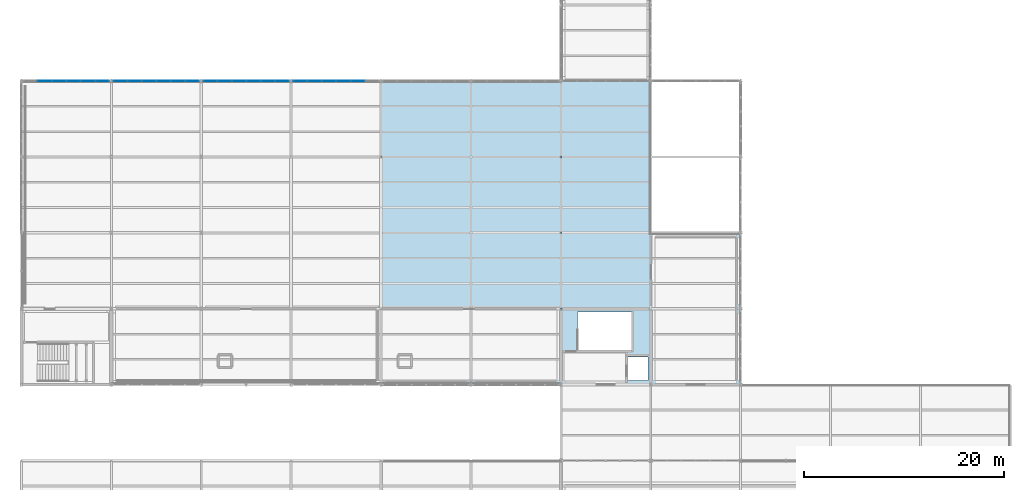
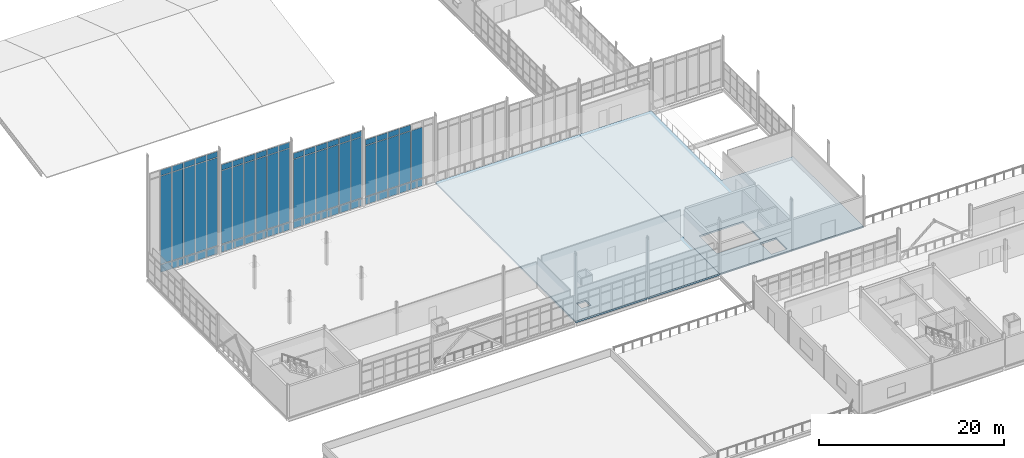
# One storey, part 125 of 166: 65 plates, 2 slabs, 4 elements without a shape of their own.
"""IFC4 building model written with IfcOpenShell, lengths in metres."""

from ifc_helpers import new_model, si_unit, direction, frame, origin, origin_2d, place, context, subcontext, project, spatial, polyline, rectangle, outline, extrude, material, layer, layer_set, type_object, element, aggregate, save


model = new_model("IFC4")

# Units and contexts
model_context = context("Model", 3, precision=1e-05, world=origin(), true_north=direction((0.0, 1.0)))
body_context = subcontext(model_context, "Body", "Model", "MODEL_VIEW")
ifc_project = project(units=[si_unit("LENGTHUNIT", "METRE"), si_unit("AREAUNIT", "SQUARE_METRE"), si_unit("VOLUMEUNIT", "CUBIC_METRE"), si_unit("PLANEANGLEUNIT", "RADIAN"), si_unit("MASSUNIT", "GRAM", prefix="KILO")], contexts=[model_context])

# Site, building, storey
site_placement = place(None, origin())
site = spatial("IfcSite", under=ifc_project, at=site_placement, CompositionType="ELEMENT")
building_placement = place(site_placement, origin())
building = spatial("IfcBuilding", under=site, at=building_placement, Name="Caisbarro Railhouse Central Library", CompositionType="ELEMENT")
storey_placement = place(building_placement, frame((0.0, 0.0, 9.360107421875)))
storey = spatial("IfcBuildingStorey", under=building, at=storey_placement, Name="L02", CompositionType="ELEMENT", Elevation=9.360107421875)

# Curtain wall, plates
ifc_material_1 = material(Name="Anodised architectural aluminium", Category="aluminium")
curtain_wall_type = type_object("IfcCurtainWallType", Name="CW-CW05", PredefinedType="NOTDEFINED", material=ifc_material_1)
curtain_wall_1_placement = place(storey_placement, origin())
curtain_wall_1 = element("IfcCurtainWall", 1, at=curtain_wall_1_placement, inside=storey, type_object=curtain_wall_type, Name="CW05 curtain wall L02 #3", PredefinedType="NOTDEFINED")
ifc_material_2 = material(Name="Double low-e laminated solar-control glass", Category="glass")
ifc_layer_1 = layer(ifc_material_2, 0.01806640625, Name="Double low-e laminated solar-control glass")
ifc_layer_set_1 = layer_set([ifc_layer_1], Name="Double low-e laminated solar-control glass")
plate_type_1 = type_object("IfcPlateType", Name="CWP-CP18", PredefinedType="CURTAIN_PANEL", material=ifc_layer_set_1)
plate_1_placement = place(storey_placement, frame((2.330078125, 60.800048828125, 0.07470703125), z_axis=(0.0, 0.0, 1.0), x_axis=(1.0, 0.0, 0.0)))
plate_1 = element("IfcPlate", 2, at=plate_1_placement, type_object=plate_type_1, Name="CW05 panel 2.1", PredefinedType="CURTAIN_PANEL", context=body_context, shape_type="SweptSolid", body=[
    extrude(rectangle(XDim=1.37158203125, YDim=0.01806640625, at=origin_2d()), origin(), (0.0, 0.0, 1.0), 1.007568359375),
])
plate_2_placement = place(storey_placement, frame((2.330078125, 60.800048828125, 1.157470703125), z_axis=(0.0, 0.0, 1.0), x_axis=(1.0, 0.0, 0.0)))
plate_2 = element("IfcPlate", 3, at=plate_2_placement, type_object=plate_type_1, Name="CW05 panel 2.2", PredefinedType="CURTAIN_PANEL", context=body_context, shape_type="SweptSolid", body=[
    extrude(rectangle(XDim=1.37158203125, YDim=0.01806640625, at=origin_2d()), origin(), (0.0, 0.0, 1.0), 11.625),
])
plate_3_placement = place(storey_placement, frame((2.330078125, 60.800048828125, 12.857421875), z_axis=(0.0, 0.0, 1.0), x_axis=(1.0, 0.0, 0.0)))
plate_3 = element("IfcPlate", 4, at=plate_3_placement, type_object=plate_type_1, Name="CW05 panel 2.3", PredefinedType="CURTAIN_PANEL", context=body_context, shape_type="SweptSolid", body=[
    extrude(rectangle(XDim=1.37158203125, YDim=0.01806640625, at=origin_2d()), origin(), (0.0, 0.0, 1.0), 0.737548828125),
])
plate_4_placement = place(storey_placement, frame((3.776611328125, 60.800048828125, 0.07470703125), z_axis=(0.0, 0.0, 1.0), x_axis=(1.0, 0.0, 0.0)))
plate_4 = element("IfcPlate", 5, at=plate_4_placement, type_object=plate_type_1, Name="CW05 panel 3.1", PredefinedType="CURTAIN_PANEL", context=body_context, shape_type="SweptSolid", body=[
    extrude(rectangle(XDim=1.37158203125, YDim=0.01806640625, at=origin_2d()), origin(), (0.0, 0.0, 1.0), 1.007568359375),
])
plate_5_placement = place(storey_placement, frame((3.776611328125, 60.800048828125, 1.157470703125), z_axis=(0.0, 0.0, 1.0), x_axis=(1.0, 0.0, 0.0)))
plate_5 = element("IfcPlate", 6, at=plate_5_placement, type_object=plate_type_1, Name="CW05 panel 3.2", PredefinedType="CURTAIN_PANEL", context=body_context, shape_type="SweptSolid", body=[
    extrude(rectangle(XDim=1.37158203125, YDim=0.01806640625, at=origin_2d()), origin(), (0.0, 0.0, 1.0), 11.625),
])
plate_6_placement = place(storey_placement, frame((3.776611328125, 60.800048828125, 12.857421875), z_axis=(0.0, 0.0, 1.0), x_axis=(1.0, 0.0, 0.0)))
plate_6 = element("IfcPlate", 7, at=plate_6_placement, type_object=plate_type_1, Name="CW05 panel 3.3", PredefinedType="CURTAIN_PANEL", context=body_context, shape_type="SweptSolid", body=[
    extrude(rectangle(XDim=1.37158203125, YDim=0.01806640625, at=origin_2d()), origin(), (0.0, 0.0, 1.0), 0.737548828125),
])
plate_7_placement = place(storey_placement, frame((5.223388671875, 60.800048828125, 0.07470703125), z_axis=(0.0, 0.0, 1.0), x_axis=(1.0, 0.0, 0.0)))
plate_7 = element("IfcPlate", 8, at=plate_7_placement, type_object=plate_type_1, Name="CW05 panel 4.1", PredefinedType="CURTAIN_PANEL", context=body_context, shape_type="SweptSolid", body=[
    extrude(rectangle(XDim=1.37158203125, YDim=0.01806640625, at=origin_2d()), origin(), (0.0, 0.0, 1.0), 1.007568359375),
])
plate_8_placement = place(storey_placement, frame((5.223388671875, 60.800048828125, 1.157470703125), z_axis=(0.0, 0.0, 1.0), x_axis=(1.0, 0.0, 0.0)))
plate_8 = element("IfcPlate", 9, at=plate_8_placement, type_object=plate_type_1, Name="CW05 panel 4.2", PredefinedType="CURTAIN_PANEL", context=body_context, shape_type="SweptSolid", body=[
    extrude(rectangle(XDim=1.37158203125, YDim=0.01806640625, at=origin_2d()), origin(), (0.0, 0.0, 1.0), 11.625),
])
plate_9_placement = place(storey_placement, frame((5.223388671875, 60.800048828125, 12.857421875), z_axis=(0.0, 0.0, 1.0), x_axis=(1.0, 0.0, 0.0)))
plate_9 = element("IfcPlate", 10, at=plate_9_placement, type_object=plate_type_1, Name="CW05 panel 4.3", PredefinedType="CURTAIN_PANEL", context=body_context, shape_type="SweptSolid", body=[
    extrude(rectangle(XDim=1.37158203125, YDim=0.01806640625, at=origin_2d()), origin(), (0.0, 0.0, 1.0), 0.737548828125),
])
plate_10_placement = place(storey_placement, frame((6.669921875, 60.800048828125, 0.07470703125), z_axis=(0.0, 0.0, 1.0), x_axis=(1.0, 0.0, 0.0)))
plate_10 = element("IfcPlate", 11, at=plate_10_placement, type_object=plate_type_1, Name="CW05 panel 5.1", PredefinedType="CURTAIN_PANEL", context=body_context, shape_type="SweptSolid", body=[
    extrude(rectangle(XDim=1.37158203125, YDim=0.01806640625, at=origin_2d()), origin(), (0.0, 0.0, 1.0), 1.007568359375),
])
plate_11_placement = place(storey_placement, frame((6.669921875, 60.800048828125, 1.157470703125), z_axis=(0.0, 0.0, 1.0), x_axis=(1.0, 0.0, 0.0)))
plate_11 = element("IfcPlate", 12, at=plate_11_placement, type_object=plate_type_1, Name="CW05 panel 5.2", PredefinedType="CURTAIN_PANEL", context=body_context, shape_type="SweptSolid", body=[
    extrude(rectangle(XDim=1.37158203125, YDim=0.01806640625, at=origin_2d()), origin(), (0.0, 0.0, 1.0), 11.625),
])
plate_12_placement = place(storey_placement, frame((6.669921875, 60.800048828125, 12.857421875), z_axis=(0.0, 0.0, 1.0), x_axis=(1.0, 0.0, 0.0)))
plate_12 = element("IfcPlate", 13, at=plate_12_placement, type_object=plate_type_1, Name="CW05 panel 5.3", PredefinedType="CURTAIN_PANEL", context=body_context, shape_type="SweptSolid", body=[
    extrude(rectangle(XDim=1.37158203125, YDim=0.01806640625, at=origin_2d()), origin(), (0.0, 0.0, 1.0), 0.737548828125),
])
plate_13_placement = place(storey_placement, frame((8.097900390625, 60.800048828125, 0.07470703125), z_axis=(0.0, 0.0, 1.0), x_axis=(1.0, 0.0, 0.0)))
plate_13 = element("IfcPlate", 14, at=plate_13_placement, type_object=plate_type_1, Name="CW05 panel 6.1", PredefinedType="CURTAIN_PANEL", context=body_context, shape_type="SweptSolid", body=[
    extrude(rectangle(XDim=1.334228515625, YDim=0.01806640625, at=origin_2d()), origin(), (0.0, 0.0, 1.0), 1.007568359375),
])
plate_14_placement = place(storey_placement, frame((8.097900390625, 60.800048828125, 1.157470703125), z_axis=(0.0, 0.0, 1.0), x_axis=(1.0, 0.0, 0.0)))
plate_14 = element("IfcPlate", 15, at=plate_14_placement, type_object=plate_type_1, Name="CW05 panel 6.2", PredefinedType="CURTAIN_PANEL", context=body_context, shape_type="SweptSolid", body=[
    extrude(rectangle(XDim=1.334228515625, YDim=0.01806640625, at=origin_2d()), origin(), (0.0, 0.0, 1.0), 11.625),
])
plate_15_placement = place(storey_placement, frame((8.097900390625, 60.800048828125, 12.857421875), z_axis=(0.0, 0.0, 1.0), x_axis=(1.0, 0.0, 0.0)))
plate_15 = element("IfcPlate", 16, at=plate_15_placement, type_object=plate_type_1, Name="CW05 panel 6.3", PredefinedType="CURTAIN_PANEL", context=body_context, shape_type="SweptSolid", body=[
    extrude(rectangle(XDim=1.334228515625, YDim=0.01806640625, at=origin_2d()), origin(), (0.0, 0.0, 1.0), 0.737548828125),
])
aggregate(curtain_wall_1, [plate_1, plate_2, plate_3, plate_4, plate_5, plate_6, plate_7, plate_8, plate_9, plate_10, plate_11, plate_12, plate_13, plate_14, plate_15])

curtain_wall_2_placement = place(storey_placement, origin())
curtain_wall_2 = element("IfcCurtainWall", 17, at=curtain_wall_2_placement, inside=storey, type_object=curtain_wall_type, Name="CW05 curtain wall L02 #5", PredefinedType="NOTDEFINED")
ifc_layer_2 = layer(ifc_material_2, 0.028076171875, Name="Double low-e laminated solar-control glass")
ifc_layer_set_2 = layer_set([ifc_layer_2], Name="Double low-e laminated solar-control glass")
plate_type_2 = type_object("IfcPlateType", Name="CWP-CP28", PredefinedType="CURTAIN_PANEL", material=ifc_layer_set_2)
plate_16_placement = place(storey_placement, frame((9.902099609375, 60.800048828125, 0.07470703125), z_axis=(0.0, 0.0, 1.0), x_axis=(1.0, 0.0, 0.0)))
plate_16 = element("IfcPlate", 18, at=plate_16_placement, type_object=plate_type_2, Name="CW05 panel 1.1", PredefinedType="CURTAIN_PANEL", context=body_context, shape_type="SweptSolid", body=[
    extrude(rectangle(XDim=1.334228515625, YDim=0.028076171875, at=origin_2d()), origin(), (0.0, 0.0, 1.0), 1.007568359375),
])
plate_17_placement = place(storey_placement, frame((9.902099609375, 60.800048828125, 1.1572265625), z_axis=(0.0, 0.0, 1.0), x_axis=(1.0, 0.0, 0.0)))
plate_17 = element("IfcPlate", 19, at=plate_17_placement, type_object=plate_type_2, Name="CW05 panel 1.2", PredefinedType="CURTAIN_PANEL", context=body_context, shape_type="SweptSolid", body=[
    extrude(rectangle(XDim=1.334228515625, YDim=0.028076171875, at=origin_2d()), origin(), (0.0, 0.0, 1.0), 9.675048828125),
])
plate_18_placement = place(storey_placement, frame((9.902099609375, 60.800048828125, 10.9072265625), z_axis=(0.0, 0.0, 1.0), x_axis=(1.0, 0.0, 0.0)))
plate_18 = element("IfcPlate", 20, at=plate_18_placement, type_object=plate_type_2, Name="CW05 panel 1.3", PredefinedType="CURTAIN_PANEL", context=body_context, shape_type="SweptSolid", body=[
    extrude(rectangle(XDim=1.334228515625, YDim=0.028076171875, at=origin_2d()), origin(), (0.0, 0.0, 1.0), 0.737548828125),
])
plate_19_placement = place(storey_placement, frame((11.330078125, 60.800048828125, 0.07470703125), z_axis=(0.0, 0.0, 1.0), x_axis=(1.0, 0.0, 0.0)))
plate_19 = element("IfcPlate", 21, at=plate_19_placement, type_object=plate_type_2, Name="CW05 panel 2.1", PredefinedType="CURTAIN_PANEL", context=body_context, shape_type="SweptSolid", body=[
    extrude(rectangle(XDim=1.37158203125, YDim=0.028076171875, at=origin_2d()), origin(), (0.0, 0.0, 1.0), 1.007568359375),
])
plate_20_placement = place(storey_placement, frame((11.330078125, 60.800048828125, 1.1572265625), z_axis=(0.0, 0.0, 1.0), x_axis=(1.0, 0.0, 0.0)))
plate_20 = element("IfcPlate", 22, at=plate_20_placement, type_object=plate_type_2, Name="CW05 panel 2.2", PredefinedType="CURTAIN_PANEL", context=body_context, shape_type="SweptSolid", body=[
    extrude(rectangle(XDim=1.37158203125, YDim=0.028076171875, at=origin_2d()), origin(), (0.0, 0.0, 1.0), 9.675048828125),
])
plate_21_placement = place(storey_placement, frame((11.330078125, 60.800048828125, 10.9072265625), z_axis=(0.0, 0.0, 1.0), x_axis=(1.0, 0.0, 0.0)))
plate_21 = element("IfcPlate", 23, at=plate_21_placement, type_object=plate_type_2, Name="CW05 panel 2.3", PredefinedType="CURTAIN_PANEL", context=body_context, shape_type="SweptSolid", body=[
    extrude(rectangle(XDim=1.37158203125, YDim=0.028076171875, at=origin_2d()), origin(), (0.0, 0.0, 1.0), 0.737548828125),
])
plate_22_placement = place(storey_placement, frame((12.776611328125, 60.800048828125, 0.07470703125), z_axis=(0.0, 0.0, 1.0), x_axis=(1.0, 0.0, 0.0)))
plate_22 = element("IfcPlate", 24, at=plate_22_placement, type_object=plate_type_2, Name="CW05 panel 3.1", PredefinedType="CURTAIN_PANEL", context=body_context, shape_type="SweptSolid", body=[
    extrude(rectangle(XDim=1.37158203125, YDim=0.028076171875, at=origin_2d()), origin(), (0.0, 0.0, 1.0), 1.007568359375),
])
plate_23_placement = place(storey_placement, frame((12.776611328125, 60.800048828125, 1.1572265625), z_axis=(0.0, 0.0, 1.0), x_axis=(1.0, 0.0, 0.0)))
plate_23 = element("IfcPlate", 25, at=plate_23_placement, type_object=plate_type_2, Name="CW05 panel 3.2", PredefinedType="CURTAIN_PANEL", context=body_context, shape_type="SweptSolid", body=[
    extrude(rectangle(XDim=1.37158203125, YDim=0.028076171875, at=origin_2d()), origin(), (0.0, 0.0, 1.0), 9.675048828125),
])
plate_24_placement = place(storey_placement, frame((12.776611328125, 60.800048828125, 10.9072265625), z_axis=(0.0, 0.0, 1.0), x_axis=(1.0, 0.0, 0.0)))
plate_24 = element("IfcPlate", 26, at=plate_24_placement, type_object=plate_type_2, Name="CW05 panel 3.3", PredefinedType="CURTAIN_PANEL", context=body_context, shape_type="SweptSolid", body=[
    extrude(rectangle(XDim=1.37158203125, YDim=0.028076171875, at=origin_2d()), origin(), (0.0, 0.0, 1.0), 0.737548828125),
])
plate_25_placement = place(storey_placement, frame((14.223388671875, 60.800048828125, 0.07470703125), z_axis=(0.0, 0.0, 1.0), x_axis=(1.0, 0.0, 0.0)))
plate_25 = element("IfcPlate", 27, at=plate_25_placement, type_object=plate_type_2, Name="CW05 panel 4.1", PredefinedType="CURTAIN_PANEL", context=body_context, shape_type="SweptSolid", body=[
    extrude(rectangle(XDim=1.37158203125, YDim=0.028076171875, at=origin_2d()), origin(), (0.0, 0.0, 1.0), 1.007568359375),
])
plate_26_placement = place(storey_placement, frame((14.223388671875, 60.800048828125, 1.1572265625), z_axis=(0.0, 0.0, 1.0), x_axis=(1.0, 0.0, 0.0)))
plate_26 = element("IfcPlate", 28, at=plate_26_placement, type_object=plate_type_2, Name="CW05 panel 4.2", PredefinedType="CURTAIN_PANEL", context=body_context, shape_type="SweptSolid", body=[
    extrude(rectangle(XDim=1.37158203125, YDim=0.028076171875, at=origin_2d()), origin(), (0.0, 0.0, 1.0), 9.675048828125),
])
plate_27_placement = place(storey_placement, frame((14.223388671875, 60.800048828125, 10.9072265625), z_axis=(0.0, 0.0, 1.0), x_axis=(1.0, 0.0, 0.0)))
plate_27 = element("IfcPlate", 29, at=plate_27_placement, type_object=plate_type_2, Name="CW05 panel 4.3", PredefinedType="CURTAIN_PANEL", context=body_context, shape_type="SweptSolid", body=[
    extrude(rectangle(XDim=1.37158203125, YDim=0.028076171875, at=origin_2d()), origin(), (0.0, 0.0, 1.0), 0.737548828125),
])
plate_28_placement = place(storey_placement, frame((15.669921875, 60.800048828125, 0.07470703125), z_axis=(0.0, 0.0, 1.0), x_axis=(1.0, 0.0, 0.0)))
plate_28 = element("IfcPlate", 30, at=plate_28_placement, type_object=plate_type_2, Name="CW05 panel 5.1", PredefinedType="CURTAIN_PANEL", context=body_context, shape_type="SweptSolid", body=[
    extrude(rectangle(XDim=1.37158203125, YDim=0.028076171875, at=origin_2d()), origin(), (0.0, 0.0, 1.0), 1.007568359375),
])
plate_29_placement = place(storey_placement, frame((15.669921875, 60.800048828125, 1.1572265625), z_axis=(0.0, 0.0, 1.0), x_axis=(1.0, 0.0, 0.0)))
plate_29 = element("IfcPlate", 31, at=plate_29_placement, type_object=plate_type_2, Name="CW05 panel 5.2", PredefinedType="CURTAIN_PANEL", context=body_context, shape_type="SweptSolid", body=[
    extrude(rectangle(XDim=1.37158203125, YDim=0.028076171875, at=origin_2d()), origin(), (0.0, 0.0, 1.0), 9.675048828125),
])
plate_30_placement = place(storey_placement, frame((15.669921875, 60.800048828125, 10.9072265625), z_axis=(0.0, 0.0, 1.0), x_axis=(1.0, 0.0, 0.0)))
plate_30 = element("IfcPlate", 32, at=plate_30_placement, type_object=plate_type_2, Name="CW05 panel 5.3", PredefinedType="CURTAIN_PANEL", context=body_context, shape_type="SweptSolid", body=[
    extrude(rectangle(XDim=1.37158203125, YDim=0.028076171875, at=origin_2d()), origin(), (0.0, 0.0, 1.0), 0.737548828125),
])
plate_31_placement = place(storey_placement, frame((17.097900390625, 60.800048828125, 0.07470703125), z_axis=(0.0, 0.0, 1.0), x_axis=(1.0, 0.0, 0.0)))
plate_31 = element("IfcPlate", 33, at=plate_31_placement, type_object=plate_type_2, Name="CW05 panel 6.1", PredefinedType="CURTAIN_PANEL", context=body_context, shape_type="SweptSolid", body=[
    extrude(rectangle(XDim=1.334228515625, YDim=0.028076171875, at=origin_2d()), origin(), (0.0, 0.0, 1.0), 1.007568359375),
])
plate_32_placement = place(storey_placement, frame((17.097900390625, 60.800048828125, 1.1572265625), z_axis=(0.0, 0.0, 1.0), x_axis=(1.0, 0.0, 0.0)))
plate_32 = element("IfcPlate", 34, at=plate_32_placement, type_object=plate_type_2, Name="CW05 panel 6.2", PredefinedType="CURTAIN_PANEL", context=body_context, shape_type="SweptSolid", body=[
    extrude(rectangle(XDim=1.334228515625, YDim=0.028076171875, at=origin_2d()), origin(), (0.0, 0.0, 1.0), 9.675048828125),
])
plate_33_placement = place(storey_placement, frame((17.097900390625, 60.800048828125, 10.9072265625), z_axis=(0.0, 0.0, 1.0), x_axis=(1.0, 0.0, 0.0)))
plate_33 = element("IfcPlate", 35, at=plate_33_placement, type_object=plate_type_2, Name="CW05 panel 6.3", PredefinedType="CURTAIN_PANEL", context=body_context, shape_type="SweptSolid", body=[
    extrude(rectangle(XDim=1.334228515625, YDim=0.028076171875, at=origin_2d()), origin(), (0.0, 0.0, 1.0), 0.737548828125),
])
aggregate(curtain_wall_2, [plate_16, plate_17, plate_18, plate_19, plate_20, plate_21, plate_22, plate_23, plate_24, plate_25, plate_26, plate_27, plate_28, plate_29, plate_30, plate_31, plate_32, plate_33])

curtain_wall_3_placement = place(storey_placement, origin())
curtain_wall_3 = element("IfcCurtainWall", 36, at=curtain_wall_3_placement, inside=storey, type_object=curtain_wall_type, Name="CW05 curtain wall L02 #8", PredefinedType="NOTDEFINED")
ifc_layer_3 = layer(ifc_material_2, 0.0380859375, Name="Double low-e laminated solar-control glass")
ifc_layer_set_3 = layer_set([ifc_layer_3], Name="Double low-e laminated solar-control glass")
plate_type_3 = type_object("IfcPlateType", Name="CWP-CP38", PredefinedType="CURTAIN_PANEL", material=ifc_layer_set_3)
plate_34_placement = place(storey_placement, frame((18.902099609375, 60.800048828125, 0.07470703125), z_axis=(0.0, 0.0, 1.0), x_axis=(1.0, 0.0, 0.0)))
plate_34 = element("IfcPlate", 37, at=plate_34_placement, type_object=plate_type_3, Name="CW05 panel 1.1", PredefinedType="CURTAIN_PANEL", context=body_context, shape_type="SweptSolid", body=[
    extrude(rectangle(XDim=1.334228515625, YDim=0.0380859375, at=origin_2d()), origin(), (0.0, 0.0, 1.0), 1.007568359375),
])
plate_35_placement = place(storey_placement, frame((18.902099609375, 60.800048828125, 1.157470703125), z_axis=(0.0, 0.0, 1.0), x_axis=(1.0, 0.0, 0.0)))
plate_35 = element("IfcPlate", 38, at=plate_35_placement, type_object=plate_type_3, Name="CW05 panel 1.2", PredefinedType="CURTAIN_PANEL", context=body_context, shape_type="SweptSolid", body=[
    extrude(rectangle(XDim=1.334228515625, YDim=0.0380859375, at=origin_2d()), origin(), (0.0, 0.0, 1.0), 8.02490234375),
])
plate_36_placement = place(storey_placement, frame((18.902099609375, 60.800048828125, 9.25732421875), z_axis=(0.0, 0.0, 1.0), x_axis=(1.0, 0.0, 0.0)))
plate_36 = element("IfcPlate", 39, at=plate_36_placement, type_object=plate_type_3, Name="CW05 panel 1.3", PredefinedType="CURTAIN_PANEL", context=body_context, shape_type="SweptSolid", body=[
    extrude(rectangle(XDim=1.334228515625, YDim=0.0380859375, at=origin_2d()), origin(), (0.0, 0.0, 1.0), 0.737548828125),
])
plate_37_placement = place(storey_placement, frame((20.330078125, 60.800048828125, 0.07470703125), z_axis=(0.0, 0.0, 1.0), x_axis=(1.0, 0.0, 0.0)))
plate_37 = element("IfcPlate", 40, at=plate_37_placement, type_object=plate_type_3, Name="CW05 panel 2.1", PredefinedType="CURTAIN_PANEL", context=body_context, shape_type="SweptSolid", body=[
    extrude(rectangle(XDim=1.37158203125, YDim=0.0380859375, at=origin_2d()), origin(), (0.0, 0.0, 1.0), 1.007568359375),
])
plate_38_placement = place(storey_placement, frame((20.330078125, 60.800048828125, 1.157470703125), z_axis=(0.0, 0.0, 1.0), x_axis=(1.0, 0.0, 0.0)))
plate_38 = element("IfcPlate", 41, at=plate_38_placement, type_object=plate_type_3, Name="CW05 panel 2.2", PredefinedType="CURTAIN_PANEL", context=body_context, shape_type="SweptSolid", body=[
    extrude(rectangle(XDim=1.37158203125, YDim=0.0380859375, at=origin_2d()), origin(), (0.0, 0.0, 1.0), 8.02490234375),
])
plate_39_placement = place(storey_placement, frame((20.330078125, 60.800048828125, 9.25732421875), z_axis=(0.0, 0.0, 1.0), x_axis=(1.0, 0.0, 0.0)))
plate_39 = element("IfcPlate", 42, at=plate_39_placement, type_object=plate_type_3, Name="CW05 panel 2.3", PredefinedType="CURTAIN_PANEL", context=body_context, shape_type="SweptSolid", body=[
    extrude(rectangle(XDim=1.37158203125, YDim=0.0380859375, at=origin_2d()), origin(), (0.0, 0.0, 1.0), 0.737548828125),
])
plate_40_placement = place(storey_placement, frame((21.776611328125, 60.800048828125, 0.07470703125), z_axis=(0.0, 0.0, 1.0), x_axis=(1.0, 0.0, 0.0)))
plate_40 = element("IfcPlate", 43, at=plate_40_placement, type_object=plate_type_3, Name="CW05 panel 3.1", PredefinedType="CURTAIN_PANEL", context=body_context, shape_type="SweptSolid", body=[
    extrude(rectangle(XDim=1.37158203125, YDim=0.0380859375, at=origin_2d()), origin(), (0.0, 0.0, 1.0), 1.007568359375),
])
plate_41_placement = place(storey_placement, frame((21.776611328125, 60.800048828125, 1.157470703125), z_axis=(0.0, 0.0, 1.0), x_axis=(1.0, 0.0, 0.0)))
plate_41 = element("IfcPlate", 44, at=plate_41_placement, type_object=plate_type_3, Name="CW05 panel 3.2", PredefinedType="CURTAIN_PANEL", context=body_context, shape_type="SweptSolid", body=[
    extrude(rectangle(XDim=1.37158203125, YDim=0.0380859375, at=origin_2d()), origin(), (0.0, 0.0, 1.0), 8.02490234375),
])
plate_42_placement = place(storey_placement, frame((21.776611328125, 60.800048828125, 9.25732421875), z_axis=(0.0, 0.0, 1.0), x_axis=(1.0, 0.0, 0.0)))
plate_42 = element("IfcPlate", 45, at=plate_42_placement, type_object=plate_type_3, Name="CW05 panel 3.3", PredefinedType="CURTAIN_PANEL", context=body_context, shape_type="SweptSolid", body=[
    extrude(rectangle(XDim=1.37158203125, YDim=0.0380859375, at=origin_2d()), origin(), (0.0, 0.0, 1.0), 0.737548828125),
])
plate_43_placement = place(storey_placement, frame((23.223388671875, 60.800048828125, 0.07470703125), z_axis=(0.0, 0.0, 1.0), x_axis=(1.0, 0.0, 0.0)))
plate_43 = element("IfcPlate", 46, at=plate_43_placement, type_object=plate_type_3, Name="CW05 panel 4.1", PredefinedType="CURTAIN_PANEL", context=body_context, shape_type="SweptSolid", body=[
    extrude(rectangle(XDim=1.37158203125, YDim=0.0380859375, at=origin_2d()), origin(), (0.0, 0.0, 1.0), 1.007568359375),
])
plate_44_placement = place(storey_placement, frame((23.223388671875, 60.800048828125, 1.157470703125), z_axis=(0.0, 0.0, 1.0), x_axis=(1.0, 0.0, 0.0)))
plate_44 = element("IfcPlate", 47, at=plate_44_placement, type_object=plate_type_3, Name="CW05 panel 4.2", PredefinedType="CURTAIN_PANEL", context=body_context, shape_type="SweptSolid", body=[
    extrude(rectangle(XDim=1.37158203125, YDim=0.0380859375, at=origin_2d()), origin(), (0.0, 0.0, 1.0), 8.02490234375),
])
plate_45_placement = place(storey_placement, frame((23.223388671875, 60.800048828125, 9.25732421875), z_axis=(0.0, 0.0, 1.0), x_axis=(1.0, 0.0, 0.0)))
plate_45 = element("IfcPlate", 48, at=plate_45_placement, type_object=plate_type_3, Name="CW05 panel 4.3", PredefinedType="CURTAIN_PANEL", context=body_context, shape_type="SweptSolid", body=[
    extrude(rectangle(XDim=1.37158203125, YDim=0.0380859375, at=origin_2d()), origin(), (0.0, 0.0, 1.0), 0.737548828125),
])
plate_46_placement = place(storey_placement, frame((24.669921875, 60.800048828125, 0.07470703125), z_axis=(0.0, 0.0, 1.0), x_axis=(1.0, 0.0, 0.0)))
plate_46 = element("IfcPlate", 49, at=plate_46_placement, type_object=plate_type_3, Name="CW05 panel 5.1", PredefinedType="CURTAIN_PANEL", context=body_context, shape_type="SweptSolid", body=[
    extrude(rectangle(XDim=1.37158203125, YDim=0.0380859375, at=origin_2d()), origin(), (0.0, 0.0, 1.0), 1.007568359375),
])
plate_47_placement = place(storey_placement, frame((24.669921875, 60.800048828125, 1.157470703125), z_axis=(0.0, 0.0, 1.0), x_axis=(1.0, 0.0, 0.0)))
plate_47 = element("IfcPlate", 50, at=plate_47_placement, type_object=plate_type_3, Name="CW05 panel 5.2", PredefinedType="CURTAIN_PANEL", context=body_context, shape_type="SweptSolid", body=[
    extrude(rectangle(XDim=1.37158203125, YDim=0.0380859375, at=origin_2d()), origin(), (0.0, 0.0, 1.0), 8.02490234375),
])
plate_48_placement = place(storey_placement, frame((24.669921875, 60.800048828125, 9.25732421875), z_axis=(0.0, 0.0, 1.0), x_axis=(1.0, 0.0, 0.0)))
plate_48 = element("IfcPlate", 51, at=plate_48_placement, type_object=plate_type_3, Name="CW05 panel 5.3", PredefinedType="CURTAIN_PANEL", context=body_context, shape_type="SweptSolid", body=[
    extrude(rectangle(XDim=1.37158203125, YDim=0.0380859375, at=origin_2d()), origin(), (0.0, 0.0, 1.0), 0.737548828125),
])
plate_49_placement = place(storey_placement, frame((26.097900390625, 60.800048828125, 0.07470703125), z_axis=(0.0, 0.0, 1.0), x_axis=(1.0, 0.0, 0.0)))
plate_49 = element("IfcPlate", 52, at=plate_49_placement, type_object=plate_type_3, Name="CW05 panel 6.1", PredefinedType="CURTAIN_PANEL", context=body_context, shape_type="SweptSolid", body=[
    extrude(rectangle(XDim=1.334228515625, YDim=0.0380859375, at=origin_2d()), origin(), (0.0, 0.0, 1.0), 1.007568359375),
])
plate_50_placement = place(storey_placement, frame((26.097900390625, 60.800048828125, 1.157470703125), z_axis=(0.0, 0.0, 1.0), x_axis=(1.0, 0.0, 0.0)))
plate_50 = element("IfcPlate", 53, at=plate_50_placement, type_object=plate_type_3, Name="CW05 panel 6.2", PredefinedType="CURTAIN_PANEL", context=body_context, shape_type="SweptSolid", body=[
    extrude(rectangle(XDim=1.334228515625, YDim=0.0380859375, at=origin_2d()), origin(), (0.0, 0.0, 1.0), 8.02490234375),
])
plate_51_placement = place(storey_placement, frame((26.097900390625, 60.800048828125, 9.25732421875), z_axis=(0.0, 0.0, 1.0), x_axis=(1.0, 0.0, 0.0)))
plate_51 = element("IfcPlate", 54, at=plate_51_placement, type_object=plate_type_3, Name="CW05 panel 6.3", PredefinedType="CURTAIN_PANEL", context=body_context, shape_type="SweptSolid", body=[
    extrude(rectangle(XDim=1.334228515625, YDim=0.0380859375, at=origin_2d()), origin(), (0.0, 0.0, 1.0), 0.737548828125),
])
aggregate(curtain_wall_3, [plate_34, plate_35, plate_36, plate_37, plate_38, plate_39, plate_40, plate_41, plate_42, plate_43, plate_44, plate_45, plate_46, plate_47, plate_48, plate_49, plate_50, plate_51])

curtain_wall_4_placement = place(storey_placement, origin())
curtain_wall_4 = element("IfcCurtainWall", 55, at=curtain_wall_4_placement, inside=storey, type_object=curtain_wall_type, Name="CW05 curtain wall L02 #11", PredefinedType="NOTDEFINED")
ifc_layer_4 = layer(ifc_material_2, 0.048095703125, Name="Double low-e laminated solar-control glass")
ifc_layer_set_4 = layer_set([ifc_layer_4], Name="Double low-e laminated solar-control glass")
plate_type_4 = type_object("IfcPlateType", Name="CWP-CP48", PredefinedType="CURTAIN_PANEL", material=ifc_layer_set_4)
plate_52_placement = place(storey_placement, frame((27.902099609375, 60.800048828125, 0.07470703125), z_axis=(0.0, 0.0, 1.0), x_axis=(1.0, 0.0, 0.0)))
plate_52 = element("IfcPlate", 56, at=plate_52_placement, type_object=plate_type_4, Name="CW05 panel 1.1", PredefinedType="CURTAIN_PANEL", context=body_context, shape_type="SweptSolid", body=[
    extrude(rectangle(XDim=1.334228515625, YDim=0.048095703125, at=origin_2d()), origin(), (0.0, 0.0, 1.0), 1.007568359375),
])
plate_53_placement = place(storey_placement, frame((27.902099609375, 60.800048828125, 1.1572265625), z_axis=(0.0, 0.0, 1.0), x_axis=(1.0, 0.0, 0.0)))
plate_53 = element("IfcPlate", 57, at=plate_53_placement, type_object=plate_type_4, Name="CW05 panel 1.2", PredefinedType="CURTAIN_PANEL", context=body_context, shape_type="SweptSolid", body=[
    extrude(rectangle(XDim=1.334228515625, YDim=0.048095703125, at=origin_2d()), origin(), (0.0, 0.0, 1.0), 6.675048828125),
])
plate_54_placement = place(storey_placement, frame((27.902099609375, 60.800048828125, 7.9072265625), z_axis=(0.0, 0.0, 1.0), x_axis=(1.0, 0.0, 0.0)))
plate_54 = element("IfcPlate", 58, at=plate_54_placement, type_object=plate_type_4, Name="CW05 panel 1.3", PredefinedType="CURTAIN_PANEL", context=body_context, shape_type="SweptSolid", body=[
    extrude(rectangle(XDim=1.334228515625, YDim=0.048095703125, at=origin_2d()), origin(), (0.0, 0.0, 1.0), 0.737548828125),
])
plate_55_placement = place(storey_placement, frame((29.330078125, 60.800048828125, 0.07470703125), z_axis=(0.0, 0.0, 1.0), x_axis=(1.0, 0.0, 0.0)))
plate_55 = element("IfcPlate", 59, at=plate_55_placement, type_object=plate_type_4, Name="CW05 panel 2.1", PredefinedType="CURTAIN_PANEL", context=body_context, shape_type="SweptSolid", body=[
    extrude(rectangle(XDim=1.37158203125, YDim=0.048095703125, at=origin_2d()), origin(), (0.0, 0.0, 1.0), 1.007568359375),
])
plate_56_placement = place(storey_placement, frame((29.330078125, 60.800048828125, 1.1572265625), z_axis=(0.0, 0.0, 1.0), x_axis=(1.0, 0.0, 0.0)))
plate_56 = element("IfcPlate", 60, at=plate_56_placement, type_object=plate_type_4, Name="CW05 panel 2.2", PredefinedType="CURTAIN_PANEL", context=body_context, shape_type="SweptSolid", body=[
    extrude(rectangle(XDim=1.37158203125, YDim=0.048095703125, at=origin_2d()), origin(), (0.0, 0.0, 1.0), 6.675048828125),
])
plate_57_placement = place(storey_placement, frame((29.330078125, 60.800048828125, 7.9072265625), z_axis=(0.0, 0.0, 1.0), x_axis=(1.0, 0.0, 0.0)))
plate_57 = element("IfcPlate", 61, at=plate_57_placement, type_object=plate_type_4, Name="CW05 panel 2.3", PredefinedType="CURTAIN_PANEL", context=body_context, shape_type="SweptSolid", body=[
    extrude(rectangle(XDim=1.37158203125, YDim=0.048095703125, at=origin_2d()), origin(), (0.0, 0.0, 1.0), 0.737548828125),
])
plate_58_placement = place(storey_placement, frame((30.776611328125, 60.800048828125, 0.07470703125), z_axis=(0.0, 0.0, 1.0), x_axis=(1.0, 0.0, 0.0)))
plate_58 = element("IfcPlate", 62, at=plate_58_placement, type_object=plate_type_4, Name="CW05 panel 3.1", PredefinedType="CURTAIN_PANEL", context=body_context, shape_type="SweptSolid", body=[
    extrude(rectangle(XDim=1.37158203125, YDim=0.048095703125, at=origin_2d()), origin(), (0.0, 0.0, 1.0), 1.007568359375),
])
plate_59_placement = place(storey_placement, frame((30.776611328125, 60.800048828125, 1.1572265625), z_axis=(0.0, 0.0, 1.0), x_axis=(1.0, 0.0, 0.0)))
plate_59 = element("IfcPlate", 63, at=plate_59_placement, type_object=plate_type_4, Name="CW05 panel 3.2", PredefinedType="CURTAIN_PANEL", context=body_context, shape_type="SweptSolid", body=[
    extrude(rectangle(XDim=1.37158203125, YDim=0.048095703125, at=origin_2d()), origin(), (0.0, 0.0, 1.0), 6.675048828125),
])
plate_60_placement = place(storey_placement, frame((30.776611328125, 60.800048828125, 7.9072265625), z_axis=(0.0, 0.0, 1.0), x_axis=(1.0, 0.0, 0.0)))
plate_60 = element("IfcPlate", 64, at=plate_60_placement, type_object=plate_type_4, Name="CW05 panel 3.3", PredefinedType="CURTAIN_PANEL", context=body_context, shape_type="SweptSolid", body=[
    extrude(rectangle(XDim=1.37158203125, YDim=0.048095703125, at=origin_2d()), origin(), (0.0, 0.0, 1.0), 0.737548828125),
])
plate_61_placement = place(storey_placement, frame((32.223388671875, 60.800048828125, 0.07470703125), z_axis=(0.0, 0.0, 1.0), x_axis=(1.0, 0.0, 0.0)))
plate_61 = element("IfcPlate", 65, at=plate_61_placement, type_object=plate_type_4, Name="CW05 panel 4.1", PredefinedType="CURTAIN_PANEL", context=body_context, shape_type="SweptSolid", body=[
    extrude(rectangle(XDim=1.37158203125, YDim=0.048095703125, at=origin_2d()), origin(), (0.0, 0.0, 1.0), 1.007568359375),
])
plate_62_placement = place(storey_placement, frame((32.223388671875, 60.800048828125, 1.1572265625), z_axis=(0.0, 0.0, 1.0), x_axis=(1.0, 0.0, 0.0)))
plate_62 = element("IfcPlate", 66, at=plate_62_placement, type_object=plate_type_4, Name="CW05 panel 4.2", PredefinedType="CURTAIN_PANEL", context=body_context, shape_type="SweptSolid", body=[
    extrude(rectangle(XDim=1.37158203125, YDim=0.048095703125, at=origin_2d()), origin(), (0.0, 0.0, 1.0), 6.675048828125),
])
plate_63_placement = place(storey_placement, frame((32.223388671875, 60.800048828125, 7.9072265625), z_axis=(0.0, 0.0, 1.0), x_axis=(1.0, 0.0, 0.0)))
plate_63 = element("IfcPlate", 67, at=plate_63_placement, type_object=plate_type_4, Name="CW05 panel 4.3", PredefinedType="CURTAIN_PANEL", context=body_context, shape_type="SweptSolid", body=[
    extrude(rectangle(XDim=1.37158203125, YDim=0.048095703125, at=origin_2d()), origin(), (0.0, 0.0, 1.0), 0.737548828125),
])
plate_64_placement = place(storey_placement, frame((33.669921875, 60.800048828125, 0.07470703125), z_axis=(0.0, 0.0, 1.0), x_axis=(1.0, 0.0, 0.0)))
plate_64 = element("IfcPlate", 68, at=plate_64_placement, type_object=plate_type_4, Name="CW05 panel 5.1", PredefinedType="CURTAIN_PANEL", context=body_context, shape_type="SweptSolid", body=[
    extrude(rectangle(XDim=1.37158203125, YDim=0.048095703125, at=origin_2d()), origin(), (0.0, 0.0, 1.0), 1.007568359375),
])
plate_65_placement = place(storey_placement, frame((33.669921875, 60.800048828125, 1.1572265625), z_axis=(0.0, 0.0, 1.0), x_axis=(1.0, 0.0, 0.0)))
plate_65 = element("IfcPlate", 69, at=plate_65_placement, type_object=plate_type_4, Name="CW05 panel 5.2", PredefinedType="CURTAIN_PANEL", context=body_context, shape_type="SweptSolid", body=[
    extrude(rectangle(XDim=1.37158203125, YDim=0.048095703125, at=origin_2d()), origin(), (0.0, 0.0, 1.0), 6.675048828125),
])
aggregate(curtain_wall_4, [plate_52, plate_53, plate_54, plate_55, plate_56, plate_57, plate_58, plate_59, plate_60, plate_61, plate_62, plate_63, plate_64, plate_65])

# Slabs
ifc_material_3 = material(Name="Concrete C35", Category="concrete")
ifc_layer_5 = layer(ifc_material_3, 0.219970703125, Name="Concrete C35")
ifc_layer_set_5 = layer_set([ifc_layer_5], Name="Concrete C35")
slab_type = type_object("IfcSlabType", Name="SLB-FL22", PredefinedType="FLOOR", material=ifc_layer_set_5)
slab_1_placement = place(storey_placement, frame((0.0, 0.0, -0.22021484375)))
element("IfcSlab", 70, at=slab_1_placement, inside=storey, type_object=slab_type, Name="SF22 structural slab L02 V1.3", PredefinedType="FLOOR", context=body_context, shape_type="SweptSolid", body=[
    extrude(outline(polyline([(36.0, 30.39990234375), (54.0, 30.39990234375), (54.0, 60.800048828125), (36.0, 60.800048828125), (36.0, 30.39990234375)]), holes=[polyline([(37.800048828125, 32.199951171875), (38.9599609375, 32.199951171875), (38.9599609375, 33.320068359375), (37.800048828125, 33.320068359375), (37.800048828125, 32.199951171875)])]), origin(), (0.0, 0.0, 1.0), 0.22021484375),
])
slab_2_placement = place(storey_placement, frame((0.0, 0.0, -0.22021484375)))
element("IfcSlab", 71, at=slab_2_placement, inside=storey, type_object=slab_type, Name="SF22 structural slab L02 V1.4", PredefinedType="FLOOR", context=body_context, shape_type="SweptSolid", body=[
    extrude(outline(polyline([(54.0, 30.39990234375), (72.0, 30.39990234375), (72.0, 45.60009765625), (63.0, 45.60009765625), (63.0, 60.800048828125), (54.0, 60.800048828125), (54.0, 30.39990234375)]), holes=[polyline([(55.64990234375, 33.85009765625), (61.14990234375, 33.85009765625), (61.14990234375, 37.699951171875), (55.64990234375, 37.699951171875), (55.64990234375, 33.85009765625)]), polyline([(60.699951171875, 30.800048828125), (62.699951171875, 30.800048828125), (62.699951171875, 33.199951171875), (60.699951171875, 33.199951171875), (60.699951171875, 30.800048828125)])]), origin(), (0.0, 0.0, 1.0), 0.22021484375),
])

save(model, "model.ifc")
